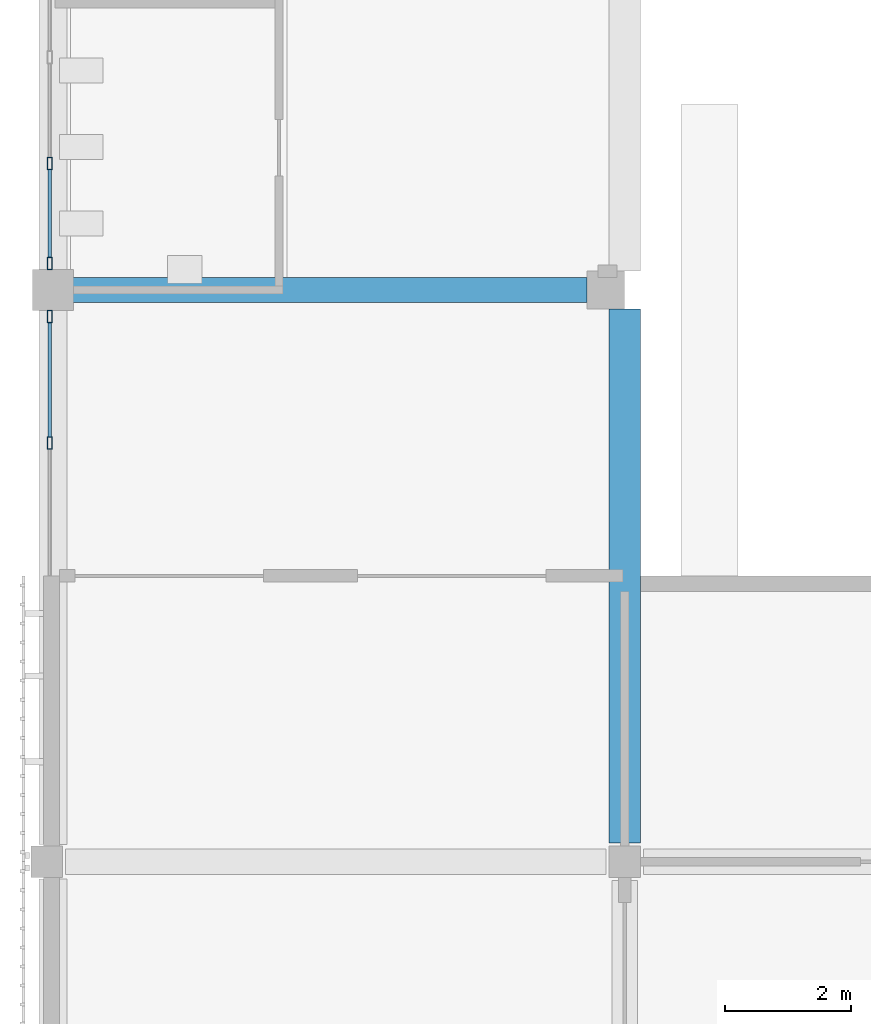
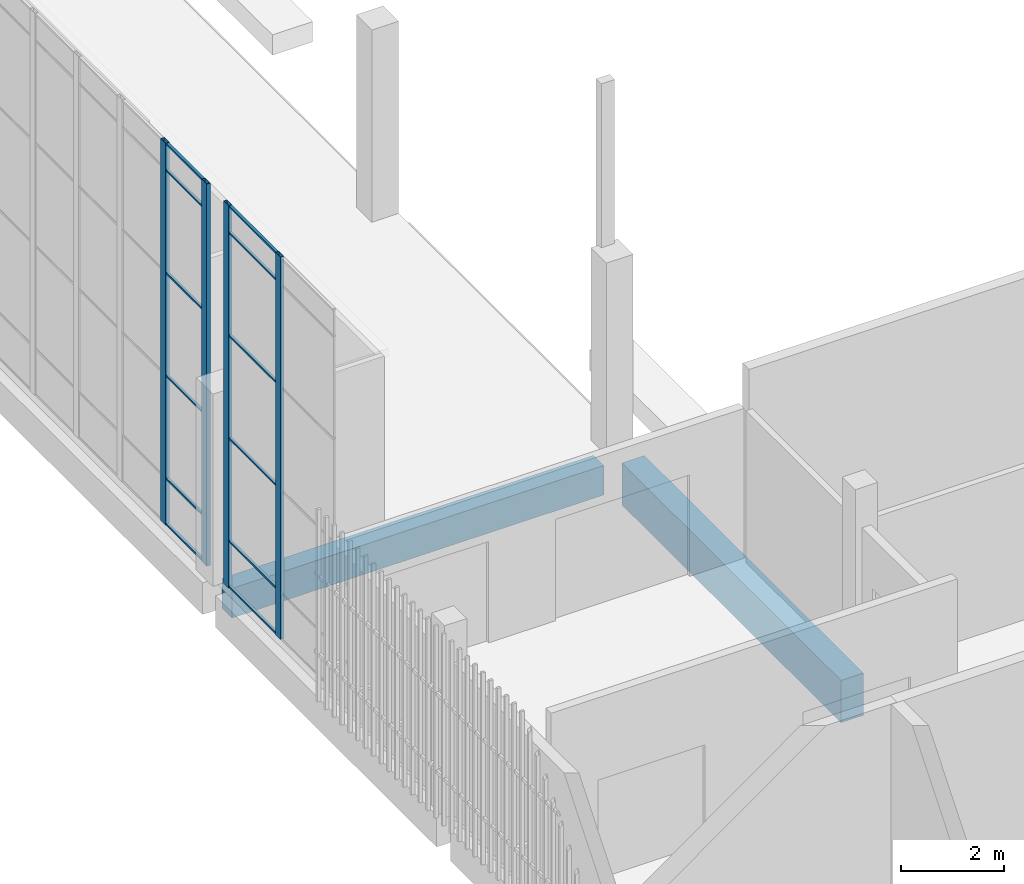
# One storey, part 7 of 91: 16 members, 2 beams, 2 elements without a shape of their own.
"""IFC4 building model written with IfcOpenShell, lengths in metres."""

from ifc_helpers import new_model, si_unit, direction, frame, origin, origin_2d, place, context, subcontext, project, spatial, rectangle, hollow_rectangle, extrude, material, layer, layer_set, material_profile, profile_set, type_object, element, aggregate, save


model = new_model("IFC4")

# Units and contexts
model_context = context("Model", 3, precision=1e-05, world=origin(), true_north=direction((0.0, 1.0)))
body_context = subcontext(model_context, "Body", "Model", "MODEL_VIEW")
ifc_project = project(units=[si_unit("LENGTHUNIT", "METRE"), si_unit("AREAUNIT", "SQUARE_METRE"), si_unit("VOLUMEUNIT", "CUBIC_METRE"), si_unit("PLANEANGLEUNIT", "RADIAN"), si_unit("MASSUNIT", "GRAM", prefix="KILO")], contexts=[model_context])

# Site, building, storey
site_placement = place(None, origin())
site = spatial("IfcSite", under=ifc_project, at=site_placement, CompositionType="ELEMENT")
building_placement = place(site_placement, origin())
building = spatial("IfcBuilding", under=site, at=building_placement, Name="Shirokan Park Arena", CompositionType="ELEMENT")
storey_placement = place(building_placement, frame((0.0, 0.0, 24.570068359375)))
storey = spatial("IfcBuildingStorey", under=building, at=storey_placement, Name="L05", CompositionType="ELEMENT", Elevation=24.570068359375)

# Curtain wall, members
ifc_material_1 = material(Name="Steel and glass curtain wall", Category="steel")
ifc_layer = layer(ifc_material_1, 0.199951171875)
ifc_layer_set = layer_set([ifc_layer], Name="Steel and glass curtain wall 200 mm")
curtain_wall_type = type_object("IfcCurtainWallType", Name="Curtain wall hall bay 200", PredefinedType="NOTDEFINED", material=ifc_layer_set)
curtain_wall_1_placement = place(storey_placement, origin())
curtain_wall_1 = element("IfcCurtainWall", 1, at=curtain_wall_1_placement, inside=storey, type_object=curtain_wall_type, Name="Curtain wall west bay 7 L05", PredefinedType="NOTDEFINED")
ifc_material_2 = material(Name="Steel S355", Category="steel")
ifc_material_profile_1 = material_profile(ifc_material_2, hollow_rectangle(XDim=0.080078125, YDim=0.199951171875, WallThickness=0.008056640625, at=origin_2d()), Name="RHS 200x80x8")
ifc_profile_set_1 = profile_set([ifc_material_profile_1], Name="Steel S355")
member_type_1 = type_object("IfcMemberType", Name="Mullion RHS 200x80x8", PredefinedType="MULLION", material=ifc_profile_set_1)
member_1_placement = place(storey_placement, frame((-0.050048828125, 47.514892578125, 0.0), z_axis=(0.0, 0.0, 1.0), x_axis=(1.0, 0.0, 0.0)))
member_1 = element("IfcMember", 2, at=member_1_placement, type_object=member_type_1, Name="CW5 mullion 5", PredefinedType="MULLION", context=body_context, shape_type="SweptSolid", body=[
    extrude(hollow_rectangle(XDim=0.080078125, YDim=0.199951171875, WallThickness=0.008056640625, at=origin_2d()), origin(), (0.0, 0.0, 1.0), 9.050048828125),
])
member_2_placement = place(storey_placement, frame((-0.050048828125, 45.925048828125, 0.0), z_axis=(0.0, 0.0, 1.0), x_axis=(1.0, 0.0, 0.0)))
member_2 = element("IfcMember", 3, at=member_2_placement, type_object=member_type_1, Name="CW5 mullion 6", PredefinedType="MULLION", context=body_context, shape_type="SweptSolid", body=[
    extrude(hollow_rectangle(XDim=0.080078125, YDim=0.199951171875, WallThickness=0.008056640625, at=origin_2d()), origin(), (0.0, 0.0, 1.0), 9.050048828125),
])

curtain_wall_2_placement = place(storey_placement, origin())
curtain_wall_2 = element("IfcCurtainWall", 4, at=curtain_wall_2_placement, inside=storey, type_object=curtain_wall_type, Name="Curtain wall west bay 8 L05", PredefinedType="NOTDEFINED")
member_3_placement = place(storey_placement, frame((-0.050048828125, 45.074951171875, 0.0), z_axis=(0.0, 0.0, 1.0), x_axis=(1.0, 0.0, 0.0)))
member_3 = element("IfcMember", 5, at=member_3_placement, type_object=member_type_1, Name="CW5 mullion 1", PredefinedType="MULLION", context=body_context, shape_type="SweptSolid", body=[
    extrude(hollow_rectangle(XDim=0.080078125, YDim=0.199951171875, WallThickness=0.008056640625, at=origin_2d()), origin(), (0.0, 0.0, 1.0), 9.050048828125),
])
member_4_placement = place(storey_placement, frame((-0.050048828125, 43.0625, 0.0), z_axis=(0.0, 0.0, 1.0), x_axis=(1.0, 0.0, 0.0)))
member_4 = element("IfcMember", 6, at=member_4_placement, type_object=member_type_1, Name="CW5 mullion 2", PredefinedType="MULLION", context=body_context, shape_type="SweptSolid", body=[
    extrude(hollow_rectangle(XDim=0.080078125, YDim=0.199951171875, WallThickness=0.008056640625, at=origin_2d()), origin(), (0.0, 0.0, 1.0), 9.050048828125),
])

# Beams
ifc_material_3 = material(Name="Concrete C35", Category="concrete")
ifc_material_profile_2 = material_profile(ifc_material_3, rectangle(XDim=0.39990234375, YDim=0.699951171875, at=origin_2d()), Name="400x700")
ifc_profile_set_2 = profile_set([ifc_material_profile_2], Name="Concrete C35")
beam_type_1 = type_object("IfcBeamType", Name="RC girder 400x700", PredefinedType="BEAM", material=ifc_profile_set_2)
beam_1_placement = place(storey_placement, frame((0.175048828125, 45.5, -0.650146484375), z_axis=(1.0, 0.0, 0.0), x_axis=(0.0, 1.0, 0.0)))
element("IfcBeam", 7, at=beam_1_placement, inside=storey, type_object=beam_type_1, Name="Girder 1F-2F L05", PredefinedType="BEAM", context=body_context, shape_type="SweptSolid", body=[
    extrude(rectangle(XDim=0.39990234375, YDim=0.699951171875, at=origin_2d()), origin(), (0.0, 0.0, 1.0), 8.324951171875),
])
ifc_material_profile_3 = material_profile(ifc_material_3, rectangle(XDim=0.5, YDim=1.0, at=origin_2d()), Name="500x1000")
ifc_profile_set_3 = profile_set([ifc_material_profile_3], Name="Concrete C35")
beam_type_2 = type_object("IfcBeamType", Name="RC girder 500x1000", PredefinedType="BEAM", material=ifc_profile_set_3)
beam_2_placement = place(storey_placement, frame((9.10009765625, 36.7001953125, -0.800048828125), z_axis=(0.0, 1.0, 0.0), x_axis=(-1.0, 0.0, 0.0)))
element("IfcBeam", 8, at=beam_2_placement, inside=storey, type_object=beam_type_2, Name="Girder 2E-2F L05", PredefinedType="BEAM", context=body_context, shape_type="SweptSolid", body=[
    extrude(rectangle(XDim=0.5, YDim=1.0, at=origin_2d()), origin(), (0.0, 0.0, 1.0), 8.499755859375),
])

# Member
ifc_material_profile_4 = material_profile(ifc_material_2, hollow_rectangle(XDim=0.06005859375, YDim=0.0400390625, WallThickness=0.00390625, at=origin_2d()), Name="RHS 60x40x4")
ifc_profile_set_4 = profile_set([ifc_material_profile_4], Name="Steel S355")
member_type_2 = type_object("IfcMemberType", Name="Transom RHS 60x40x4", PredefinedType="MULLION", material=ifc_profile_set_4)
member_5_placement = place(storey_placement, frame((-0.050048828125, 47.4150390625, 0.02001953125), z_axis=(0.0, -1.0, 0.0), x_axis=(1.0, 0.0, 0.0)))
member_5 = element("IfcMember", 9, at=member_5_placement, type_object=member_type_2, Name="CW5 transom 5.1", PredefinedType="MULLION", context=body_context, shape_type="SweptSolid", body=[
    extrude(hollow_rectangle(XDim=0.06005859375, YDim=0.0400390625, WallThickness=0.00390625, at=origin_2d()), origin(), (0.0, 0.0, 1.0), 1.39013671875),
])

member_6_placement = place(storey_placement, frame((-0.050048828125, 47.4150390625, 1.099853515625), z_axis=(0.0, -1.0, 0.0), x_axis=(1.0, 0.0, 0.0)))
member_6 = element("IfcMember", 10, at=member_6_placement, type_object=member_type_2, Name="CW5 transom 5.2", PredefinedType="MULLION", context=body_context, shape_type="SweptSolid", body=[
    extrude(hollow_rectangle(XDim=0.06005859375, YDim=0.0400390625, WallThickness=0.00390625, at=origin_2d()), origin(), (0.0, 0.0, 1.0), 1.39013671875),
])

member_7_placement = place(storey_placement, frame((-0.050048828125, 47.4150390625, 3.533203125), z_axis=(0.0, -1.0, 0.0), x_axis=(1.0, 0.0, 0.0)))
member_7 = element("IfcMember", 11, at=member_7_placement, type_object=member_type_2, Name="CW5 transom 5.3", PredefinedType="MULLION", context=body_context, shape_type="SweptSolid", body=[
    extrude(hollow_rectangle(XDim=0.06005859375, YDim=0.0400390625, WallThickness=0.00390625, at=origin_2d()), origin(), (0.0, 0.0, 1.0), 1.39013671875),
])

member_8_placement = place(storey_placement, frame((-0.050048828125, 47.4150390625, 5.966552734375), z_axis=(0.0, -1.0, 0.0), x_axis=(1.0, 0.0, 0.0)))
member_8 = element("IfcMember", 12, at=member_8_placement, type_object=member_type_2, Name="CW5 transom 5.4", PredefinedType="MULLION", context=body_context, shape_type="SweptSolid", body=[
    extrude(hollow_rectangle(XDim=0.06005859375, YDim=0.0400390625, WallThickness=0.00390625, at=origin_2d()), origin(), (0.0, 0.0, 1.0), 1.39013671875),
])

member_9_placement = place(storey_placement, frame((-0.050048828125, 47.4150390625, 8.39990234375), z_axis=(0.0, -1.0, 0.0), x_axis=(1.0, 0.0, 0.0)))
member_9 = element("IfcMember", 13, at=member_9_placement, type_object=member_type_2, Name="CW5 transom 5.5", PredefinedType="MULLION", context=body_context, shape_type="SweptSolid", body=[
    extrude(hollow_rectangle(XDim=0.06005859375, YDim=0.0400390625, WallThickness=0.00390625, at=origin_2d()), origin(), (0.0, 0.0, 1.0), 1.39013671875),
])

member_10_placement = place(storey_placement, frame((-0.050048828125, 47.4150390625, 9.030029296875), z_axis=(0.0, -1.0, 0.0), x_axis=(1.0, 0.0, 0.0)))
member_10 = element("IfcMember", 14, at=member_10_placement, type_object=member_type_2, Name="CW5 transom 5.6", PredefinedType="MULLION", context=body_context, shape_type="SweptSolid", body=[
    extrude(hollow_rectangle(XDim=0.06005859375, YDim=0.0400390625, WallThickness=0.00390625, at=origin_2d()), origin(), (0.0, 0.0, 1.0), 1.39013671875),
])

aggregate(curtain_wall_1, [member_1, member_2, member_5, member_6, member_7, member_8, member_9, member_10])

member_11_placement = place(storey_placement, frame((-0.050048828125, 44.97509765625, 0.02001953125), z_axis=(0.0, -1.0, 0.0), x_axis=(1.0, 0.0, 0.0)))
member_11 = element("IfcMember", 15, at=member_11_placement, type_object=member_type_2, Name="CW5 transom 1.1", PredefinedType="MULLION", context=body_context, shape_type="SweptSolid", body=[
    extrude(hollow_rectangle(XDim=0.06005859375, YDim=0.0400390625, WallThickness=0.00390625, at=origin_2d()), origin(), (0.0, 0.0, 1.0), 1.8125),
])

member_12_placement = place(storey_placement, frame((-0.050048828125, 44.97509765625, 1.099853515625), z_axis=(0.0, -1.0, 0.0), x_axis=(1.0, 0.0, 0.0)))
member_12 = element("IfcMember", 16, at=member_12_placement, type_object=member_type_2, Name="CW5 transom 1.2", PredefinedType="MULLION", context=body_context, shape_type="SweptSolid", body=[
    extrude(hollow_rectangle(XDim=0.06005859375, YDim=0.0400390625, WallThickness=0.00390625, at=origin_2d()), origin(), (0.0, 0.0, 1.0), 1.8125),
])

member_13_placement = place(storey_placement, frame((-0.050048828125, 44.97509765625, 3.533203125), z_axis=(0.0, -1.0, 0.0), x_axis=(1.0, 0.0, 0.0)))
member_13 = element("IfcMember", 17, at=member_13_placement, type_object=member_type_2, Name="CW5 transom 1.3", PredefinedType="MULLION", context=body_context, shape_type="SweptSolid", body=[
    extrude(hollow_rectangle(XDim=0.06005859375, YDim=0.0400390625, WallThickness=0.00390625, at=origin_2d()), origin(), (0.0, 0.0, 1.0), 1.8125),
])

member_14_placement = place(storey_placement, frame((-0.050048828125, 44.97509765625, 5.966552734375), z_axis=(0.0, -1.0, 0.0), x_axis=(1.0, 0.0, 0.0)))
member_14 = element("IfcMember", 18, at=member_14_placement, type_object=member_type_2, Name="CW5 transom 1.4", PredefinedType="MULLION", context=body_context, shape_type="SweptSolid", body=[
    extrude(hollow_rectangle(XDim=0.06005859375, YDim=0.0400390625, WallThickness=0.00390625, at=origin_2d()), origin(), (0.0, 0.0, 1.0), 1.8125),
])

member_15_placement = place(storey_placement, frame((-0.050048828125, 44.97509765625, 8.39990234375), z_axis=(0.0, -1.0, 0.0), x_axis=(1.0, 0.0, 0.0)))
member_15 = element("IfcMember", 19, at=member_15_placement, type_object=member_type_2, Name="CW5 transom 1.5", PredefinedType="MULLION", context=body_context, shape_type="SweptSolid", body=[
    extrude(hollow_rectangle(XDim=0.06005859375, YDim=0.0400390625, WallThickness=0.00390625, at=origin_2d()), origin(), (0.0, 0.0, 1.0), 1.8125),
])

member_16_placement = place(storey_placement, frame((-0.050048828125, 44.97509765625, 9.030029296875), z_axis=(0.0, -1.0, 0.0), x_axis=(1.0, 0.0, 0.0)))
member_16 = element("IfcMember", 20, at=member_16_placement, type_object=member_type_2, Name="CW5 transom 1.6", PredefinedType="MULLION", context=body_context, shape_type="SweptSolid", body=[
    extrude(hollow_rectangle(XDim=0.06005859375, YDim=0.0400390625, WallThickness=0.00390625, at=origin_2d()), origin(), (0.0, 0.0, 1.0), 1.8125),
])

aggregate(curtain_wall_2, [member_3, member_4, member_11, member_12, member_13, member_14, member_15, member_16])

save(model, "model.ifc")
